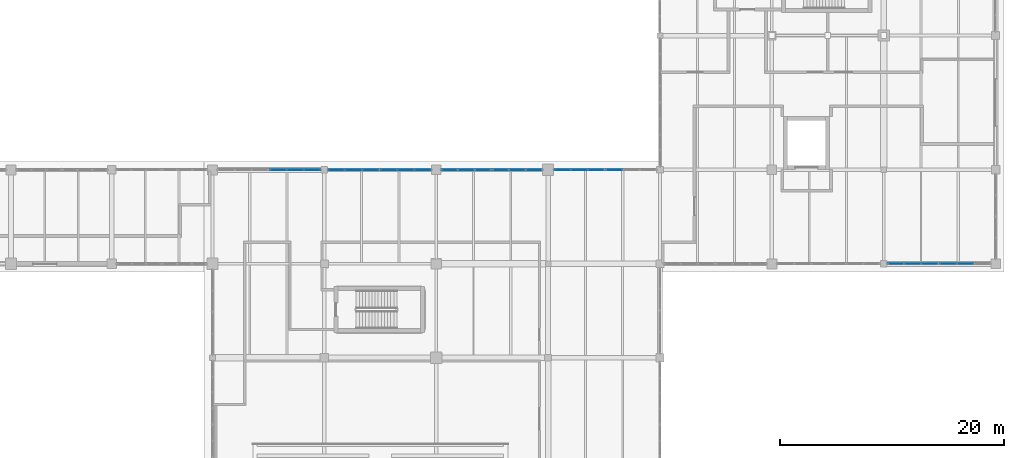
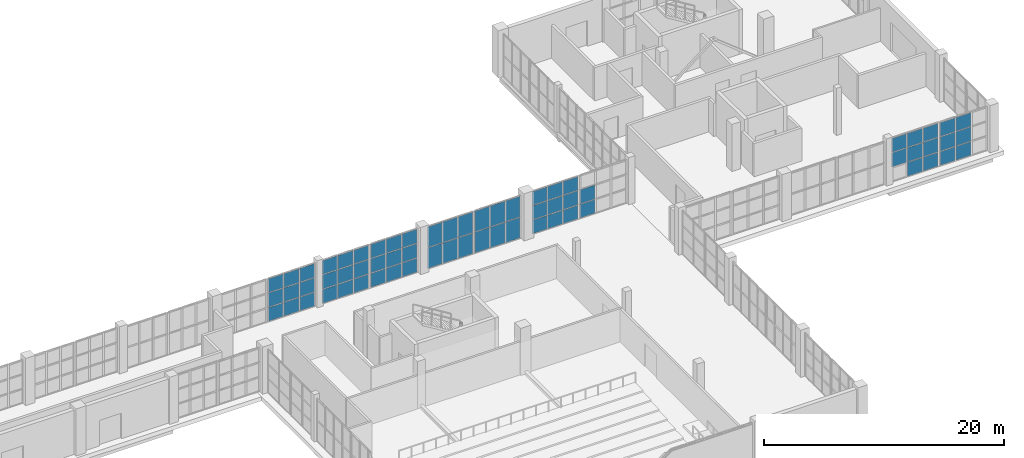
# One storey, part 93 of 121: 64 plates, 9 elements without a shape of their own.
"""IFC4 building model written with IfcOpenShell, lengths in metres."""

from ifc_helpers import new_model, si_unit, direction, frame, origin, origin_2d, place, context, subcontext, project, spatial, rectangle, extrude, material, layer, layer_set, type_object, element, aggregate, save


model = new_model("IFC4")

# Units and contexts
model_context = context("Model", 3, precision=1e-05, world=origin(), true_north=direction((0.0, 1.0)))
body_context = subcontext(model_context, "Body", "Model", "MODEL_VIEW")
ifc_project = project(units=[si_unit("LENGTHUNIT", "METRE"), si_unit("AREAUNIT", "SQUARE_METRE"), si_unit("VOLUMEUNIT", "CUBIC_METRE"), si_unit("PLANEANGLEUNIT", "RADIAN"), si_unit("MASSUNIT", "GRAM", prefix="KILO")], contexts=[model_context])

# Site, building, storey
site_placement = place(None, origin())
site = spatial("IfcSite", under=ifc_project, at=site_placement, CompositionType="ELEMENT")
building_placement = place(site_placement, origin())
building = spatial("IfcBuilding", under=site, at=building_placement, Name="Zereglee Splitstone Museum", CompositionType="ELEMENT")
storey_placement = place(building_placement, origin())
storey = spatial("IfcBuildingStorey", under=building, at=storey_placement, Name="L00", CompositionType="ELEMENT", Elevation=0.0)

# Curtain wall, plates
ifc_material_1 = material(Name="Triple-glazed low-E argon glass and bronze-anodised aluminium", Category="aluminium")
ifc_layer_1 = layer(ifc_material_1, 0.179931640625)
ifc_layer_set_1 = layer_set([ifc_layer_1], Name="Triple-glazed low-E argon glass and bronze-anodised aluminium")
curtain_wall_type_1 = type_object("IfcCurtainWallType", Name="CW-0459-450", PredefinedType="USERDEFINED", material=ifc_layer_set_1)
curtain_wall_1_placement = place(storey_placement, origin())
curtain_wall_1 = element("IfcCurtainWall", 1, at=curtain_wall_1_placement, inside=storey, type_object=curtain_wall_type_1, Name="Glazed Curtain Wall CW-0459-450 (L00)", ObjectType="GLAZED CURTAIN WALL", PredefinedType="USERDEFINED")
ifc_material_2 = material(Name="Triple low-e argon insulated safety glass", Category="glass")
ifc_layer_2 = layer(ifc_material_2, 0.035888671875)
ifc_layer_set_2 = layer_set([ifc_layer_2], Name="Triple low-e argon insulated safety glass")
plate_type = type_object("IfcPlateType", Name="CWP-01", PredefinedType="CURTAIN_PANEL", material=ifc_layer_set_2)
plate_1_placement = place(storey_placement, frame((317.089111328125, 30.0, 1.532470703125), z_axis=(0.0, 0.0, 1.0), x_axis=(1.0, 0.0, 0.0)))
plate_1 = element("IfcPlate", 2, at=plate_1_placement, type_object=plate_type, Name="CW-0459-450 panel 1.2", PredefinedType="CURTAIN_PANEL", context=body_context, shape_type="SweptSolid", body=[
    extrude(rectangle(XDim=1.432373046875, YDim=0.035888671875, at=origin_2d()), origin(), (0.0, 0.0, 1.0), 1.43505859375),
])
plate_2_placement = place(storey_placement, frame((317.089111328125, 30.0, 3.0322265625), z_axis=(0.0, 0.0, 1.0), x_axis=(1.0, 0.0, 0.0)))
plate_2 = element("IfcPlate", 3, at=plate_2_placement, type_object=plate_type, Name="CW-0459-450 panel 1.3", PredefinedType="CURTAIN_PANEL", context=body_context, shape_type="SweptSolid", body=[
    extrude(rectangle(XDim=1.432373046875, YDim=0.035888671875, at=origin_2d()), origin(), (0.0, 0.0, 1.0), 1.402587890625),
])
plate_3_placement = place(storey_placement, frame((318.602783203125, 30.0, 0.06494140625), z_axis=(0.0, 0.0, 1.0), x_axis=(1.0, 0.0, 0.0)))
plate_3 = element("IfcPlate", 4, at=plate_3_placement, type_object=plate_type, Name="CW-0459-450 panel 2.1", PredefinedType="CURTAIN_PANEL", context=body_context, shape_type="SweptSolid", body=[
    extrude(rectangle(XDim=1.46484375, YDim=0.035888671875, at=origin_2d()), origin(), (0.0, 0.0, 1.0), 1.402587890625),
])
plate_4_placement = place(storey_placement, frame((318.602783203125, 30.0, 1.532470703125), z_axis=(0.0, 0.0, 1.0), x_axis=(1.0, 0.0, 0.0)))
plate_4 = element("IfcPlate", 5, at=plate_4_placement, type_object=plate_type, Name="CW-0459-450 panel 2.2", PredefinedType="CURTAIN_PANEL", context=body_context, shape_type="SweptSolid", body=[
    extrude(rectangle(XDim=1.46484375, YDim=0.035888671875, at=origin_2d()), origin(), (0.0, 0.0, 1.0), 1.43505859375),
])
plate_5_placement = place(storey_placement, frame((318.602783203125, 30.0, 3.0322265625), z_axis=(0.0, 0.0, 1.0), x_axis=(1.0, 0.0, 0.0)))
plate_5 = element("IfcPlate", 6, at=plate_5_placement, type_object=plate_type, Name="CW-0459-450 panel 2.3", PredefinedType="CURTAIN_PANEL", context=body_context, shape_type="SweptSolid", body=[
    extrude(rectangle(XDim=1.46484375, YDim=0.035888671875, at=origin_2d()), origin(), (0.0, 0.0, 1.0), 1.402587890625),
])
plate_6_placement = place(storey_placement, frame((320.116455078125, 30.0, 0.06494140625), z_axis=(0.0, 0.0, 1.0), x_axis=(1.0, 0.0, 0.0)))
plate_6 = element("IfcPlate", 7, at=plate_6_placement, type_object=plate_type, Name="CW-0459-450 panel 3.1", PredefinedType="CURTAIN_PANEL", context=body_context, shape_type="SweptSolid", body=[
    extrude(rectangle(XDim=1.432373046875, YDim=0.035888671875, at=origin_2d()), origin(), (0.0, 0.0, 1.0), 1.402587890625),
])
plate_7_placement = place(storey_placement, frame((320.116455078125, 30.0, 1.532470703125), z_axis=(0.0, 0.0, 1.0), x_axis=(1.0, 0.0, 0.0)))
plate_7 = element("IfcPlate", 8, at=plate_7_placement, type_object=plate_type, Name="CW-0459-450 panel 3.2", PredefinedType="CURTAIN_PANEL", context=body_context, shape_type="SweptSolid", body=[
    extrude(rectangle(XDim=1.432373046875, YDim=0.035888671875, at=origin_2d()), origin(), (0.0, 0.0, 1.0), 1.43505859375),
])
plate_8_placement = place(storey_placement, frame((320.116455078125, 30.0, 3.0322265625), z_axis=(0.0, 0.0, 1.0), x_axis=(1.0, 0.0, 0.0)))
plate_8 = element("IfcPlate", 9, at=plate_8_placement, type_object=plate_type, Name="CW-0459-450 panel 3.3", PredefinedType="CURTAIN_PANEL", context=body_context, shape_type="SweptSolid", body=[
    extrude(rectangle(XDim=1.432373046875, YDim=0.035888671875, at=origin_2d()), origin(), (0.0, 0.0, 1.0), 1.402587890625),
])
aggregate(curtain_wall_1, [plate_1, plate_2, plate_3, plate_4, plate_5, plate_6, plate_7, plate_8])

ifc_layer_3 = layer(ifc_material_1, 0.179931640625)
ifc_layer_set_3 = layer_set([ifc_layer_3], Name="Triple-glazed low-E argon glass and bronze-anodised aluminium")
curtain_wall_type_2 = type_object("IfcCurtainWallType", Name="CW-0459-448", PredefinedType="USERDEFINED", material=ifc_layer_set_3)
curtain_wall_2_placement = place(storey_placement, origin())
curtain_wall_2 = element("IfcCurtainWall", 10, at=curtain_wall_2_placement, inside=storey, type_object=curtain_wall_type_2, Name="Glazed Curtain Wall CW-0459-448 (L00)", ObjectType="GLAZED CURTAIN WALL", PredefinedType="USERDEFINED")
plate_9_placement = place(storey_placement, frame((321.758544921875, 30.0, 0.06494140625), z_axis=(0.0, 0.0, 1.0), x_axis=(1.0, 0.0, 0.0)))
plate_9 = element("IfcPlate", 11, at=plate_9_placement, type_object=plate_type, Name="CW-0459-448 panel 1.1", PredefinedType="CURTAIN_PANEL", context=body_context, shape_type="SweptSolid", body=[
    extrude(rectangle(XDim=1.432373046875, YDim=0.035888671875, at=origin_2d()), origin(), (0.0, 0.0, 1.0), 1.395751953125),
])
plate_10_placement = place(storey_placement, frame((321.758544921875, 30.0, 1.52587890625), z_axis=(0.0, 0.0, 1.0), x_axis=(1.0, 0.0, 0.0)))
plate_10 = element("IfcPlate", 12, at=plate_10_placement, type_object=plate_type, Name="CW-0459-448 panel 1.2", PredefinedType="CURTAIN_PANEL", context=body_context, shape_type="SweptSolid", body=[
    extrude(rectangle(XDim=1.432373046875, YDim=0.035888671875, at=origin_2d()), origin(), (0.0, 0.0, 1.0), 1.428466796875),
])
plate_11_placement = place(storey_placement, frame((321.758544921875, 30.0, 3.01904296875), z_axis=(0.0, 0.0, 1.0), x_axis=(1.0, 0.0, 0.0)))
plate_11 = element("IfcPlate", 13, at=plate_11_placement, type_object=plate_type, Name="CW-0459-448 panel 1.3", PredefinedType="CURTAIN_PANEL", context=body_context, shape_type="SweptSolid", body=[
    extrude(rectangle(XDim=1.432373046875, YDim=0.035888671875, at=origin_2d()), origin(), (0.0, 0.0, 1.0), 1.395751953125),
])
plate_12_placement = place(storey_placement, frame((323.272216796875, 30.0, 0.06494140625), z_axis=(0.0, 0.0, 1.0), x_axis=(1.0, 0.0, 0.0)))
plate_12 = element("IfcPlate", 14, at=plate_12_placement, type_object=plate_type, Name="CW-0459-448 panel 2.1", PredefinedType="CURTAIN_PANEL", context=body_context, shape_type="SweptSolid", body=[
    extrude(rectangle(XDim=1.46484375, YDim=0.035888671875, at=origin_2d()), origin(), (0.0, 0.0, 1.0), 1.395751953125),
])
plate_13_placement = place(storey_placement, frame((323.272216796875, 30.0, 1.52587890625), z_axis=(0.0, 0.0, 1.0), x_axis=(1.0, 0.0, 0.0)))
plate_13 = element("IfcPlate", 15, at=plate_13_placement, type_object=plate_type, Name="CW-0459-448 panel 2.2", PredefinedType="CURTAIN_PANEL", context=body_context, shape_type="SweptSolid", body=[
    extrude(rectangle(XDim=1.46484375, YDim=0.035888671875, at=origin_2d()), origin(), (0.0, 0.0, 1.0), 1.428466796875),
])
plate_14_placement = place(storey_placement, frame((323.272216796875, 30.0, 3.01904296875), z_axis=(0.0, 0.0, 1.0), x_axis=(1.0, 0.0, 0.0)))
plate_14 = element("IfcPlate", 16, at=plate_14_placement, type_object=plate_type, Name="CW-0459-448 panel 2.3", PredefinedType="CURTAIN_PANEL", context=body_context, shape_type="SweptSolid", body=[
    extrude(rectangle(XDim=1.46484375, YDim=0.035888671875, at=origin_2d()), origin(), (0.0, 0.0, 1.0), 1.395751953125),
])
aggregate(curtain_wall_2, [plate_9, plate_10, plate_11, plate_12, plate_13, plate_14])

ifc_layer_4 = layer(ifc_material_1, 0.179931640625)
ifc_layer_set_4 = layer_set([ifc_layer_4], Name="Triple-glazed low-E argon glass and bronze-anodised aluminium")
curtain_wall_type_3 = type_object("IfcCurtainWallType", Name="CW-0455-444", PredefinedType="USERDEFINED", material=ifc_layer_set_4)
curtain_wall_3_placement = place(storey_placement, origin())
curtain_wall_3 = element("IfcCurtainWall", 17, at=curtain_wall_3_placement, inside=storey, type_object=curtain_wall_type_3, Name="Glazed Curtain Wall CW-0455-444 (L00)", ObjectType="GLAZED CURTAIN WALL", PredefinedType="USERDEFINED")
plate_15_placement = place(storey_placement, frame((291.914794921875, 38.39990234375, 0.06494140625), z_axis=(0.0, 0.0, 1.0), x_axis=(-1.0, 0.0, 0.0)))
plate_15 = element("IfcPlate", 18, at=plate_15_placement, type_object=plate_type, Name="CW-0455-444 panel 3.1", PredefinedType="CURTAIN_PANEL", context=body_context, shape_type="SweptSolid", body=[
    extrude(rectangle(XDim=1.419921875, YDim=0.035888671875, at=origin_2d()), origin(), (0.0, 0.0, 1.0), 1.382568359375),
])
plate_16_placement = place(storey_placement, frame((291.914794921875, 38.39990234375, 1.512451171875), z_axis=(0.0, 0.0, 1.0), x_axis=(-1.0, 0.0, 0.0)))
plate_16 = element("IfcPlate", 19, at=plate_16_placement, type_object=plate_type, Name="CW-0455-444 panel 3.2", PredefinedType="CURTAIN_PANEL", context=body_context, shape_type="SweptSolid", body=[
    extrude(rectangle(XDim=1.419921875, YDim=0.035888671875, at=origin_2d()), origin(), (0.0, 0.0, 1.0), 1.4150390625),
])
aggregate(curtain_wall_3, [plate_15, plate_16])

ifc_layer_5 = layer(ifc_material_1, 0.179931640625)
ifc_layer_set_5 = layer_set([ifc_layer_5], Name="Triple-glazed low-E argon glass and bronze-anodised aluminium")
curtain_wall_type_4 = type_object("IfcCurtainWallType", Name="CW-0455-442", PredefinedType="USERDEFINED", material=ifc_layer_set_5)
curtain_wall_4_placement = place(storey_placement, origin())
curtain_wall_4 = element("IfcCurtainWall", 20, at=curtain_wall_4_placement, inside=storey, type_object=curtain_wall_type_4, Name="Glazed Curtain Wall CW-0455-442 (L00)", ObjectType="GLAZED CURTAIN WALL", PredefinedType="USERDEFINED")
plate_17_placement = place(storey_placement, frame((290.28515625, 38.39990234375, 0.06494140625), z_axis=(0.0, 0.0, 1.0), x_axis=(-1.0, 0.0, 0.0)))
plate_17 = element("IfcPlate", 21, at=plate_17_placement, type_object=plate_type, Name="CW-0455-442 panel 1.1", PredefinedType="CURTAIN_PANEL", context=body_context, shape_type="SweptSolid", body=[
    extrude(rectangle(XDim=1.419921875, YDim=0.035888671875, at=origin_2d()), origin(), (0.0, 0.0, 1.0), 1.375732421875),
])
plate_18_placement = place(storey_placement, frame((290.28515625, 38.39990234375, 1.505859375), z_axis=(0.0, 0.0, 1.0), x_axis=(-1.0, 0.0, 0.0)))
plate_18 = element("IfcPlate", 22, at=plate_18_placement, type_object=plate_type, Name="CW-0455-442 panel 1.2", PredefinedType="CURTAIN_PANEL", context=body_context, shape_type="SweptSolid", body=[
    extrude(rectangle(XDim=1.419921875, YDim=0.035888671875, at=origin_2d()), origin(), (0.0, 0.0, 1.0), 1.408447265625),
])
plate_19_placement = place(storey_placement, frame((290.28515625, 38.39990234375, 2.97900390625), z_axis=(0.0, 0.0, 1.0), x_axis=(-1.0, 0.0, 0.0)))
plate_19 = element("IfcPlate", 23, at=plate_19_placement, type_object=plate_type, Name="CW-0455-442 panel 1.3", PredefinedType="CURTAIN_PANEL", context=body_context, shape_type="SweptSolid", body=[
    extrude(rectangle(XDim=1.419921875, YDim=0.035888671875, at=origin_2d()), origin(), (0.0, 0.0, 1.0), 1.375732421875),
])
plate_20_placement = place(storey_placement, frame((288.783935546875, 38.39990234375, 0.06494140625), z_axis=(0.0, 0.0, 1.0), x_axis=(-1.0, 0.0, 0.0)))
plate_20 = element("IfcPlate", 24, at=plate_20_placement, type_object=plate_type, Name="CW-0455-442 panel 2.1", PredefinedType="CURTAIN_PANEL", context=body_context, shape_type="SweptSolid", body=[
    extrude(rectangle(XDim=1.452392578125, YDim=0.035888671875, at=origin_2d()), origin(), (0.0, 0.0, 1.0), 1.375732421875),
])
plate_21_placement = place(storey_placement, frame((288.783935546875, 38.39990234375, 1.505859375), z_axis=(0.0, 0.0, 1.0), x_axis=(-1.0, 0.0, 0.0)))
plate_21 = element("IfcPlate", 25, at=plate_21_placement, type_object=plate_type, Name="CW-0455-442 panel 2.2", PredefinedType="CURTAIN_PANEL", context=body_context, shape_type="SweptSolid", body=[
    extrude(rectangle(XDim=1.452392578125, YDim=0.035888671875, at=origin_2d()), origin(), (0.0, 0.0, 1.0), 1.408447265625),
])
plate_22_placement = place(storey_placement, frame((288.783935546875, 38.39990234375, 2.97900390625), z_axis=(0.0, 0.0, 1.0), x_axis=(-1.0, 0.0, 0.0)))
plate_22 = element("IfcPlate", 26, at=plate_22_placement, type_object=plate_type, Name="CW-0455-442 panel 2.3", PredefinedType="CURTAIN_PANEL", context=body_context, shape_type="SweptSolid", body=[
    extrude(rectangle(XDim=1.452392578125, YDim=0.035888671875, at=origin_2d()), origin(), (0.0, 0.0, 1.0), 1.375732421875),
])
plate_23_placement = place(storey_placement, frame((287.282958984375, 38.39990234375, 0.06494140625), z_axis=(0.0, 0.0, 1.0), x_axis=(-1.0, 0.0, 0.0)))
plate_23 = element("IfcPlate", 27, at=plate_23_placement, type_object=plate_type, Name="CW-0455-442 panel 3.1", PredefinedType="CURTAIN_PANEL", context=body_context, shape_type="SweptSolid", body=[
    extrude(rectangle(XDim=1.419921875, YDim=0.035888671875, at=origin_2d()), origin(), (0.0, 0.0, 1.0), 1.375732421875),
])
plate_24_placement = place(storey_placement, frame((287.282958984375, 38.39990234375, 1.505859375), z_axis=(0.0, 0.0, 1.0), x_axis=(-1.0, 0.0, 0.0)))
plate_24 = element("IfcPlate", 28, at=plate_24_placement, type_object=plate_type, Name="CW-0455-442 panel 3.2", PredefinedType="CURTAIN_PANEL", context=body_context, shape_type="SweptSolid", body=[
    extrude(rectangle(XDim=1.419921875, YDim=0.035888671875, at=origin_2d()), origin(), (0.0, 0.0, 1.0), 1.408447265625),
])
plate_25_placement = place(storey_placement, frame((287.282958984375, 38.39990234375, 2.97900390625), z_axis=(0.0, 0.0, 1.0), x_axis=(-1.0, 0.0, 0.0)))
plate_25 = element("IfcPlate", 29, at=plate_25_placement, type_object=plate_type, Name="CW-0455-442 panel 3.3", PredefinedType="CURTAIN_PANEL", context=body_context, shape_type="SweptSolid", body=[
    extrude(rectangle(XDim=1.419921875, YDim=0.035888671875, at=origin_2d()), origin(), (0.0, 0.0, 1.0), 1.375732421875),
])
aggregate(curtain_wall_4, [plate_17, plate_18, plate_19, plate_20, plate_21, plate_22, plate_23, plate_24, plate_25])

ifc_layer_6 = layer(ifc_material_1, 0.179931640625)
ifc_layer_set_6 = layer_set([ifc_layer_6], Name="Triple-glazed low-E argon glass and bronze-anodised aluminium")
curtain_wall_type_5 = type_object("IfcCurtainWallType", Name="CW-0449-438", PredefinedType="USERDEFINED", material=ifc_layer_set_6)
curtain_wall_5_placement = place(storey_placement, origin())
curtain_wall_5 = element("IfcCurtainWall", 30, at=curtain_wall_5_placement, inside=storey, type_object=curtain_wall_type_5, Name="Glazed Curtain Wall CW-0449-438 (L00)", ObjectType="GLAZED CURTAIN WALL", PredefinedType="USERDEFINED")
plate_26_placement = place(storey_placement, frame((284.7275390625, 38.39990234375, 0.06494140625), z_axis=(0.0, 0.0, 1.0), x_axis=(-1.0, 0.0, 0.0)))
plate_26 = element("IfcPlate", 31, at=plate_26_placement, type_object=plate_type, Name="CW-0449-438 panel 1.1", PredefinedType="CURTAIN_PANEL", context=body_context, shape_type="SweptSolid", body=[
    extrude(rectangle(XDim=1.39892578125, YDim=0.035888671875, at=origin_2d()), origin(), (0.0, 0.0, 1.0), 2.092529296875),
])
plate_27_placement = place(storey_placement, frame((284.7275390625, 38.39990234375, 2.22265625), z_axis=(0.0, 0.0, 1.0), x_axis=(-1.0, 0.0, 0.0)))
plate_27 = element("IfcPlate", 32, at=plate_27_placement, type_object=plate_type, Name="CW-0449-438 panel 1.2", PredefinedType="CURTAIN_PANEL", context=body_context, shape_type="SweptSolid", body=[
    extrude(rectangle(XDim=1.39892578125, YDim=0.035888671875, at=origin_2d()), origin(), (0.0, 0.0, 1.0), 2.092529296875),
])
plate_28_placement = place(storey_placement, frame((283.247314453125, 38.39990234375, 0.06494140625), z_axis=(0.0, 0.0, 1.0), x_axis=(-1.0, 0.0, 0.0)))
plate_28 = element("IfcPlate", 33, at=plate_28_placement, type_object=plate_type, Name="CW-0449-438 panel 2.1", PredefinedType="CURTAIN_PANEL", context=body_context, shape_type="SweptSolid", body=[
    extrude(rectangle(XDim=1.431396484375, YDim=0.035888671875, at=origin_2d()), origin(), (0.0, 0.0, 1.0), 2.092529296875),
])
plate_29_placement = place(storey_placement, frame((283.247314453125, 38.39990234375, 2.22265625), z_axis=(0.0, 0.0, 1.0), x_axis=(-1.0, 0.0, 0.0)))
plate_29 = element("IfcPlate", 34, at=plate_29_placement, type_object=plate_type, Name="CW-0449-438 panel 2.2", PredefinedType="CURTAIN_PANEL", context=body_context, shape_type="SweptSolid", body=[
    extrude(rectangle(XDim=1.431396484375, YDim=0.035888671875, at=origin_2d()), origin(), (0.0, 0.0, 1.0), 2.092529296875),
])
plate_30_placement = place(storey_placement, frame((281.76708984375, 38.39990234375, 0.06494140625), z_axis=(0.0, 0.0, 1.0), x_axis=(-1.0, 0.0, 0.0)))
plate_30 = element("IfcPlate", 35, at=plate_30_placement, type_object=plate_type, Name="CW-0449-438 panel 3.1", PredefinedType="CURTAIN_PANEL", context=body_context, shape_type="SweptSolid", body=[
    extrude(rectangle(XDim=1.39892578125, YDim=0.035888671875, at=origin_2d()), origin(), (0.0, 0.0, 1.0), 2.092529296875),
])
plate_31_placement = place(storey_placement, frame((281.76708984375, 38.39990234375, 2.22265625), z_axis=(0.0, 0.0, 1.0), x_axis=(-1.0, 0.0, 0.0)))
plate_31 = element("IfcPlate", 36, at=plate_31_placement, type_object=plate_type, Name="CW-0449-438 panel 3.2", PredefinedType="CURTAIN_PANEL", context=body_context, shape_type="SweptSolid", body=[
    extrude(rectangle(XDim=1.39892578125, YDim=0.035888671875, at=origin_2d()), origin(), (0.0, 0.0, 1.0), 2.092529296875),
])
aggregate(curtain_wall_5, [plate_26, plate_27, plate_28, plate_29, plate_30, plate_31])

ifc_layer_7 = layer(ifc_material_1, 0.179931640625)
ifc_layer_set_7 = layer_set([ifc_layer_7], Name="Triple-glazed low-E argon glass and bronze-anodised aluminium")
curtain_wall_type_6 = type_object("IfcCurtainWallType", Name="CW-0449-436", PredefinedType="USERDEFINED", material=ifc_layer_set_7)
curtain_wall_6_placement = place(storey_placement, origin())
curtain_wall_6 = element("IfcCurtainWall", 37, at=curtain_wall_6_placement, inside=storey, type_object=curtain_wall_type_6, Name="Glazed Curtain Wall CW-0449-436 (L00)", ObjectType="GLAZED CURTAIN WALL", PredefinedType="USERDEFINED")
plate_32_placement = place(storey_placement, frame((280.157958984375, 38.39990234375, 0.06494140625), z_axis=(0.0, 0.0, 1.0), x_axis=(-1.0, 0.0, 0.0)))
plate_32 = element("IfcPlate", 38, at=plate_32_placement, type_object=plate_type, Name="CW-0449-436 panel 1.1", PredefinedType="CURTAIN_PANEL", context=body_context, shape_type="SweptSolid", body=[
    extrude(rectangle(XDim=1.39892578125, YDim=0.035888671875, at=origin_2d()), origin(), (0.0, 0.0, 1.0), 2.08251953125),
])
plate_33_placement = place(storey_placement, frame((280.157958984375, 38.39990234375, 2.21240234375), z_axis=(0.0, 0.0, 1.0), x_axis=(-1.0, 0.0, 0.0)))
plate_33 = element("IfcPlate", 39, at=plate_33_placement, type_object=plate_type, Name="CW-0449-436 panel 1.2", PredefinedType="CURTAIN_PANEL", context=body_context, shape_type="SweptSolid", body=[
    extrude(rectangle(XDim=1.39892578125, YDim=0.035888671875, at=origin_2d()), origin(), (0.0, 0.0, 1.0), 2.08251953125),
])
plate_34_placement = place(storey_placement, frame((278.677734375, 38.39990234375, 0.06494140625), z_axis=(0.0, 0.0, 1.0), x_axis=(-1.0, 0.0, 0.0)))
plate_34 = element("IfcPlate", 40, at=plate_34_placement, type_object=plate_type, Name="CW-0449-436 panel 2.1", PredefinedType="CURTAIN_PANEL", context=body_context, shape_type="SweptSolid", body=[
    extrude(rectangle(XDim=1.431396484375, YDim=0.035888671875, at=origin_2d()), origin(), (0.0, 0.0, 1.0), 2.08251953125),
])
plate_35_placement = place(storey_placement, frame((278.677734375, 38.39990234375, 2.21240234375), z_axis=(0.0, 0.0, 1.0), x_axis=(-1.0, 0.0, 0.0)))
plate_35 = element("IfcPlate", 41, at=plate_35_placement, type_object=plate_type, Name="CW-0449-436 panel 2.2", PredefinedType="CURTAIN_PANEL", context=body_context, shape_type="SweptSolid", body=[
    extrude(rectangle(XDim=1.431396484375, YDim=0.035888671875, at=origin_2d()), origin(), (0.0, 0.0, 1.0), 2.08251953125),
])
plate_36_placement = place(storey_placement, frame((277.197509765625, 38.39990234375, 0.06494140625), z_axis=(0.0, 0.0, 1.0), x_axis=(-1.0, 0.0, 0.0)))
plate_36 = element("IfcPlate", 42, at=plate_36_placement, type_object=plate_type, Name="CW-0449-436 panel 3.1", PredefinedType="CURTAIN_PANEL", context=body_context, shape_type="SweptSolid", body=[
    extrude(rectangle(XDim=1.39892578125, YDim=0.035888671875, at=origin_2d()), origin(), (0.0, 0.0, 1.0), 2.08251953125),
])
plate_37_placement = place(storey_placement, frame((277.197509765625, 38.39990234375, 2.21240234375), z_axis=(0.0, 0.0, 1.0), x_axis=(-1.0, 0.0, 0.0)))
plate_37 = element("IfcPlate", 43, at=plate_37_placement, type_object=plate_type, Name="CW-0449-436 panel 3.2", PredefinedType="CURTAIN_PANEL", context=body_context, shape_type="SweptSolid", body=[
    extrude(rectangle(XDim=1.39892578125, YDim=0.035888671875, at=origin_2d()), origin(), (0.0, 0.0, 1.0), 2.08251953125),
])
aggregate(curtain_wall_6, [plate_32, plate_33, plate_34, plate_35, plate_36, plate_37])

curtain_wall_7_placement = place(storey_placement, origin())
curtain_wall_7 = element("IfcCurtainWall", 44, at=curtain_wall_7_placement, inside=storey, type_object=curtain_wall_type_1, Name="Glazed Curtain Wall CW-0459-450 (L00)", ObjectType="GLAZED CURTAIN WALL", PredefinedType="USERDEFINED")
plate_38_placement = place(storey_placement, frame((274.785888671875, 38.39990234375, 0.06494140625), z_axis=(0.0, 0.0, 1.0), x_axis=(-1.0, 0.0, 0.0)))
plate_38 = element("IfcPlate", 45, at=plate_38_placement, type_object=plate_type, Name="CW-0459-450 panel 1.1", PredefinedType="CURTAIN_PANEL", context=body_context, shape_type="SweptSolid", body=[
    extrude(rectangle(XDim=1.432373046875, YDim=0.035888671875, at=origin_2d()), origin(), (0.0, 0.0, 1.0), 1.402587890625),
])
plate_39_placement = place(storey_placement, frame((274.785888671875, 38.39990234375, 1.532470703125), z_axis=(0.0, 0.0, 1.0), x_axis=(-1.0, 0.0, 0.0)))
plate_39 = element("IfcPlate", 46, at=plate_39_placement, type_object=plate_type, Name="CW-0459-450 panel 1.2", PredefinedType="CURTAIN_PANEL", context=body_context, shape_type="SweptSolid", body=[
    extrude(rectangle(XDim=1.432373046875, YDim=0.035888671875, at=origin_2d()), origin(), (0.0, 0.0, 1.0), 1.43505859375),
])
plate_40_placement = place(storey_placement, frame((274.785888671875, 38.39990234375, 3.0322265625), z_axis=(0.0, 0.0, 1.0), x_axis=(-1.0, 0.0, 0.0)))
plate_40 = element("IfcPlate", 47, at=plate_40_placement, type_object=plate_type, Name="CW-0459-450 panel 1.3", PredefinedType="CURTAIN_PANEL", context=body_context, shape_type="SweptSolid", body=[
    extrude(rectangle(XDim=1.432373046875, YDim=0.035888671875, at=origin_2d()), origin(), (0.0, 0.0, 1.0), 1.402587890625),
])
plate_41_placement = place(storey_placement, frame((273.272216796875, 38.39990234375, 0.06494140625), z_axis=(0.0, 0.0, 1.0), x_axis=(-1.0, 0.0, 0.0)))
plate_41 = element("IfcPlate", 48, at=plate_41_placement, type_object=plate_type, Name="CW-0459-450 panel 2.1", PredefinedType="CURTAIN_PANEL", context=body_context, shape_type="SweptSolid", body=[
    extrude(rectangle(XDim=1.46484375, YDim=0.035888671875, at=origin_2d()), origin(), (0.0, 0.0, 1.0), 1.402587890625),
])
plate_42_placement = place(storey_placement, frame((273.272216796875, 38.39990234375, 1.532470703125), z_axis=(0.0, 0.0, 1.0), x_axis=(-1.0, 0.0, 0.0)))
plate_42 = element("IfcPlate", 49, at=plate_42_placement, type_object=plate_type, Name="CW-0459-450 panel 2.2", PredefinedType="CURTAIN_PANEL", context=body_context, shape_type="SweptSolid", body=[
    extrude(rectangle(XDim=1.46484375, YDim=0.035888671875, at=origin_2d()), origin(), (0.0, 0.0, 1.0), 1.43505859375),
])
plate_43_placement = place(storey_placement, frame((273.272216796875, 38.39990234375, 3.0322265625), z_axis=(0.0, 0.0, 1.0), x_axis=(-1.0, 0.0, 0.0)))
plate_43 = element("IfcPlate", 50, at=plate_43_placement, type_object=plate_type, Name="CW-0459-450 panel 2.3", PredefinedType="CURTAIN_PANEL", context=body_context, shape_type="SweptSolid", body=[
    extrude(rectangle(XDim=1.46484375, YDim=0.035888671875, at=origin_2d()), origin(), (0.0, 0.0, 1.0), 1.402587890625),
])
plate_44_placement = place(storey_placement, frame((271.758544921875, 38.39990234375, 0.06494140625), z_axis=(0.0, 0.0, 1.0), x_axis=(-1.0, 0.0, 0.0)))
plate_44 = element("IfcPlate", 51, at=plate_44_placement, type_object=plate_type, Name="CW-0459-450 panel 3.1", PredefinedType="CURTAIN_PANEL", context=body_context, shape_type="SweptSolid", body=[
    extrude(rectangle(XDim=1.432373046875, YDim=0.035888671875, at=origin_2d()), origin(), (0.0, 0.0, 1.0), 1.402587890625),
])
plate_45_placement = place(storey_placement, frame((271.758544921875, 38.39990234375, 1.532470703125), z_axis=(0.0, 0.0, 1.0), x_axis=(-1.0, 0.0, 0.0)))
plate_45 = element("IfcPlate", 52, at=plate_45_placement, type_object=plate_type, Name="CW-0459-450 panel 3.2", PredefinedType="CURTAIN_PANEL", context=body_context, shape_type="SweptSolid", body=[
    extrude(rectangle(XDim=1.432373046875, YDim=0.035888671875, at=origin_2d()), origin(), (0.0, 0.0, 1.0), 1.43505859375),
])
plate_46_placement = place(storey_placement, frame((271.758544921875, 38.39990234375, 3.0322265625), z_axis=(0.0, 0.0, 1.0), x_axis=(-1.0, 0.0, 0.0)))
plate_46 = element("IfcPlate", 53, at=plate_46_placement, type_object=plate_type, Name="CW-0459-450 panel 3.3", PredefinedType="CURTAIN_PANEL", context=body_context, shape_type="SweptSolid", body=[
    extrude(rectangle(XDim=1.432373046875, YDim=0.035888671875, at=origin_2d()), origin(), (0.0, 0.0, 1.0), 1.402587890625),
])
aggregate(curtain_wall_7, [plate_38, plate_39, plate_40, plate_41, plate_42, plate_43, plate_44, plate_45, plate_46])

curtain_wall_8_placement = place(storey_placement, origin())
curtain_wall_8 = element("IfcCurtainWall", 54, at=curtain_wall_8_placement, inside=storey, type_object=curtain_wall_type_2, Name="Glazed Curtain Wall CW-0459-448 (L00)", ObjectType="GLAZED CURTAIN WALL", PredefinedType="USERDEFINED")
plate_47_placement = place(storey_placement, frame((270.116455078125, 38.39990234375, 0.06494140625), z_axis=(0.0, 0.0, 1.0), x_axis=(-1.0, 0.0, 0.0)))
plate_47 = element("IfcPlate", 55, at=plate_47_placement, type_object=plate_type, Name="CW-0459-448 panel 1.1", PredefinedType="CURTAIN_PANEL", context=body_context, shape_type="SweptSolid", body=[
    extrude(rectangle(XDim=1.432373046875, YDim=0.035888671875, at=origin_2d()), origin(), (0.0, 0.0, 1.0), 1.395751953125),
])
plate_48_placement = place(storey_placement, frame((270.116455078125, 38.39990234375, 1.52587890625), z_axis=(0.0, 0.0, 1.0), x_axis=(-1.0, 0.0, 0.0)))
plate_48 = element("IfcPlate", 56, at=plate_48_placement, type_object=plate_type, Name="CW-0459-448 panel 1.2", PredefinedType="CURTAIN_PANEL", context=body_context, shape_type="SweptSolid", body=[
    extrude(rectangle(XDim=1.432373046875, YDim=0.035888671875, at=origin_2d()), origin(), (0.0, 0.0, 1.0), 1.428466796875),
])
plate_49_placement = place(storey_placement, frame((270.116455078125, 38.39990234375, 3.01904296875), z_axis=(0.0, 0.0, 1.0), x_axis=(-1.0, 0.0, 0.0)))
plate_49 = element("IfcPlate", 57, at=plate_49_placement, type_object=plate_type, Name="CW-0459-448 panel 1.3", PredefinedType="CURTAIN_PANEL", context=body_context, shape_type="SweptSolid", body=[
    extrude(rectangle(XDim=1.432373046875, YDim=0.035888671875, at=origin_2d()), origin(), (0.0, 0.0, 1.0), 1.395751953125),
])
plate_50_placement = place(storey_placement, frame((268.602783203125, 38.39990234375, 0.06494140625), z_axis=(0.0, 0.0, 1.0), x_axis=(-1.0, 0.0, 0.0)))
plate_50 = element("IfcPlate", 58, at=plate_50_placement, type_object=plate_type, Name="CW-0459-448 panel 2.1", PredefinedType="CURTAIN_PANEL", context=body_context, shape_type="SweptSolid", body=[
    extrude(rectangle(XDim=1.46484375, YDim=0.035888671875, at=origin_2d()), origin(), (0.0, 0.0, 1.0), 1.395751953125),
])
plate_51_placement = place(storey_placement, frame((268.602783203125, 38.39990234375, 1.52587890625), z_axis=(0.0, 0.0, 1.0), x_axis=(-1.0, 0.0, 0.0)))
plate_51 = element("IfcPlate", 59, at=plate_51_placement, type_object=plate_type, Name="CW-0459-448 panel 2.2", PredefinedType="CURTAIN_PANEL", context=body_context, shape_type="SweptSolid", body=[
    extrude(rectangle(XDim=1.46484375, YDim=0.035888671875, at=origin_2d()), origin(), (0.0, 0.0, 1.0), 1.428466796875),
])
plate_52_placement = place(storey_placement, frame((268.602783203125, 38.39990234375, 3.01904296875), z_axis=(0.0, 0.0, 1.0), x_axis=(-1.0, 0.0, 0.0)))
plate_52 = element("IfcPlate", 60, at=plate_52_placement, type_object=plate_type, Name="CW-0459-448 panel 2.3", PredefinedType="CURTAIN_PANEL", context=body_context, shape_type="SweptSolid", body=[
    extrude(rectangle(XDim=1.46484375, YDim=0.035888671875, at=origin_2d()), origin(), (0.0, 0.0, 1.0), 1.395751953125),
])
plate_53_placement = place(storey_placement, frame((267.089111328125, 38.39990234375, 0.06494140625), z_axis=(0.0, 0.0, 1.0), x_axis=(-1.0, 0.0, 0.0)))
plate_53 = element("IfcPlate", 61, at=plate_53_placement, type_object=plate_type, Name="CW-0459-448 panel 3.1", PredefinedType="CURTAIN_PANEL", context=body_context, shape_type="SweptSolid", body=[
    extrude(rectangle(XDim=1.432373046875, YDim=0.035888671875, at=origin_2d()), origin(), (0.0, 0.0, 1.0), 1.395751953125),
])
plate_54_placement = place(storey_placement, frame((267.089111328125, 38.39990234375, 1.52587890625), z_axis=(0.0, 0.0, 1.0), x_axis=(-1.0, 0.0, 0.0)))
plate_54 = element("IfcPlate", 62, at=plate_54_placement, type_object=plate_type, Name="CW-0459-448 panel 3.2", PredefinedType="CURTAIN_PANEL", context=body_context, shape_type="SweptSolid", body=[
    extrude(rectangle(XDim=1.432373046875, YDim=0.035888671875, at=origin_2d()), origin(), (0.0, 0.0, 1.0), 1.428466796875),
])
plate_55_placement = place(storey_placement, frame((267.089111328125, 38.39990234375, 3.01904296875), z_axis=(0.0, 0.0, 1.0), x_axis=(-1.0, 0.0, 0.0)))
plate_55 = element("IfcPlate", 63, at=plate_55_placement, type_object=plate_type, Name="CW-0459-448 panel 3.3", PredefinedType="CURTAIN_PANEL", context=body_context, shape_type="SweptSolid", body=[
    extrude(rectangle(XDim=1.432373046875, YDim=0.035888671875, at=origin_2d()), origin(), (0.0, 0.0, 1.0), 1.395751953125),
])
aggregate(curtain_wall_8, [plate_47, plate_48, plate_49, plate_50, plate_51, plate_52, plate_53, plate_54, plate_55])

ifc_layer_8 = layer(ifc_material_1, 0.179931640625)
ifc_layer_set_8 = layer_set([ifc_layer_8], Name="Triple-glazed low-E argon glass and bronze-anodised aluminium")
curtain_wall_type_7 = type_object("IfcCurtainWallType", Name="CW-0458-444", PredefinedType="USERDEFINED", material=ifc_layer_set_8)
curtain_wall_9_placement = place(storey_placement, origin())
curtain_wall_9 = element("IfcCurtainWall", 64, at=curtain_wall_9_placement, inside=storey, type_object=curtain_wall_type_7, Name="Glazed Curtain Wall CW-0458-444 (L00)", ObjectType="GLAZED CURTAIN WALL", PredefinedType="USERDEFINED")
plate_56_placement = place(storey_placement, frame((264.912841796875, 38.39990234375, 0.06494140625), z_axis=(0.0, 0.0, 1.0), x_axis=(-1.0, 0.0, 0.0)))
plate_56 = element("IfcPlate", 65, at=plate_56_placement, type_object=plate_type, Name="CW-0458-444 panel 1.1", PredefinedType="CURTAIN_PANEL", context=body_context, shape_type="SweptSolid", body=[
    extrude(rectangle(XDim=1.42822265625, YDim=0.035888671875, at=origin_2d()), origin(), (0.0, 0.0, 1.0), 1.382568359375),
])
plate_57_placement = place(storey_placement, frame((264.912841796875, 38.39990234375, 1.512451171875), z_axis=(0.0, 0.0, 1.0), x_axis=(-1.0, 0.0, 0.0)))
plate_57 = element("IfcPlate", 66, at=plate_57_placement, type_object=plate_type, Name="CW-0458-444 panel 1.2", PredefinedType="CURTAIN_PANEL", context=body_context, shape_type="SweptSolid", body=[
    extrude(rectangle(XDim=1.42822265625, YDim=0.035888671875, at=origin_2d()), origin(), (0.0, 0.0, 1.0), 1.4150390625),
])
plate_58_placement = place(storey_placement, frame((264.912841796875, 38.39990234375, 2.99267578125), z_axis=(0.0, 0.0, 1.0), x_axis=(-1.0, 0.0, 0.0)))
plate_58 = element("IfcPlate", 67, at=plate_58_placement, type_object=plate_type, Name="CW-0458-444 panel 1.3", PredefinedType="CURTAIN_PANEL", context=body_context, shape_type="SweptSolid", body=[
    extrude(rectangle(XDim=1.42822265625, YDim=0.035888671875, at=origin_2d()), origin(), (0.0, 0.0, 1.0), 1.382568359375),
])
plate_59_placement = place(storey_placement, frame((263.403564453125, 38.39990234375, 0.06494140625), z_axis=(0.0, 0.0, 1.0), x_axis=(-1.0, 0.0, 0.0)))
plate_59 = element("IfcPlate", 68, at=plate_59_placement, type_object=plate_type, Name="CW-0458-444 panel 2.1", PredefinedType="CURTAIN_PANEL", context=body_context, shape_type="SweptSolid", body=[
    extrude(rectangle(XDim=1.460693359375, YDim=0.035888671875, at=origin_2d()), origin(), (0.0, 0.0, 1.0), 1.382568359375),
])
plate_60_placement = place(storey_placement, frame((263.403564453125, 38.39990234375, 1.512451171875), z_axis=(0.0, 0.0, 1.0), x_axis=(-1.0, 0.0, 0.0)))
plate_60 = element("IfcPlate", 69, at=plate_60_placement, type_object=plate_type, Name="CW-0458-444 panel 2.2", PredefinedType="CURTAIN_PANEL", context=body_context, shape_type="SweptSolid", body=[
    extrude(rectangle(XDim=1.460693359375, YDim=0.035888671875, at=origin_2d()), origin(), (0.0, 0.0, 1.0), 1.4150390625),
])
plate_61_placement = place(storey_placement, frame((263.403564453125, 38.39990234375, 2.99267578125), z_axis=(0.0, 0.0, 1.0), x_axis=(-1.0, 0.0, 0.0)))
plate_61 = element("IfcPlate", 70, at=plate_61_placement, type_object=plate_type, Name="CW-0458-444 panel 2.3", PredefinedType="CURTAIN_PANEL", context=body_context, shape_type="SweptSolid", body=[
    extrude(rectangle(XDim=1.460693359375, YDim=0.035888671875, at=origin_2d()), origin(), (0.0, 0.0, 1.0), 1.382568359375),
])
plate_62_placement = place(storey_placement, frame((261.89404296875, 38.39990234375, 0.06494140625), z_axis=(0.0, 0.0, 1.0), x_axis=(-1.0, 0.0, 0.0)))
plate_62 = element("IfcPlate", 71, at=plate_62_placement, type_object=plate_type, Name="CW-0458-444 panel 3.1", PredefinedType="CURTAIN_PANEL", context=body_context, shape_type="SweptSolid", body=[
    extrude(rectangle(XDim=1.42822265625, YDim=0.035888671875, at=origin_2d()), origin(), (0.0, 0.0, 1.0), 1.382568359375),
])
plate_63_placement = place(storey_placement, frame((261.89404296875, 38.39990234375, 1.512451171875), z_axis=(0.0, 0.0, 1.0), x_axis=(-1.0, 0.0, 0.0)))
plate_63 = element("IfcPlate", 72, at=plate_63_placement, type_object=plate_type, Name="CW-0458-444 panel 3.2", PredefinedType="CURTAIN_PANEL", context=body_context, shape_type="SweptSolid", body=[
    extrude(rectangle(XDim=1.42822265625, YDim=0.035888671875, at=origin_2d()), origin(), (0.0, 0.0, 1.0), 1.4150390625),
])
plate_64_placement = place(storey_placement, frame((261.89404296875, 38.39990234375, 2.99267578125), z_axis=(0.0, 0.0, 1.0), x_axis=(-1.0, 0.0, 0.0)))
plate_64 = element("IfcPlate", 73, at=plate_64_placement, type_object=plate_type, Name="CW-0458-444 panel 3.3", PredefinedType="CURTAIN_PANEL", context=body_context, shape_type="SweptSolid", body=[
    extrude(rectangle(XDim=1.42822265625, YDim=0.035888671875, at=origin_2d()), origin(), (0.0, 0.0, 1.0), 1.382568359375),
])
aggregate(curtain_wall_9, [plate_56, plate_57, plate_58, plate_59, plate_60, plate_61, plate_62, plate_63, plate_64])

save(model, "model.ifc")
